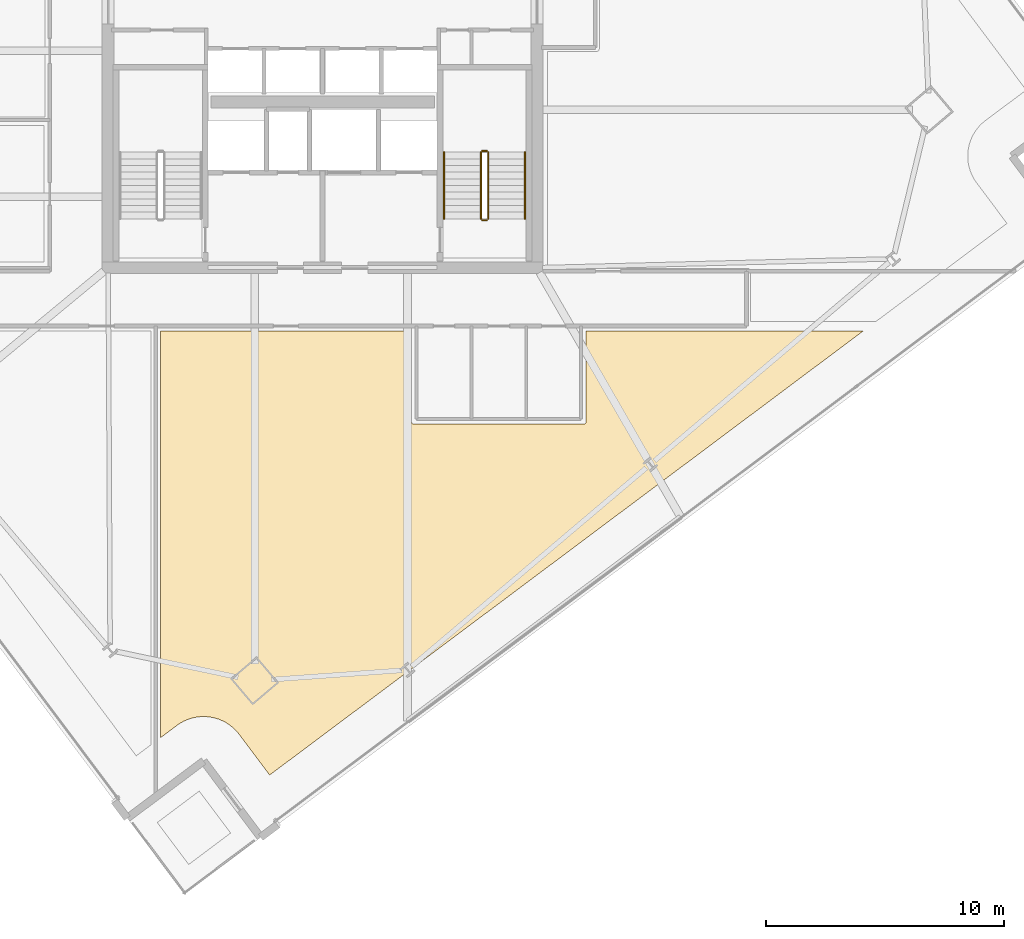
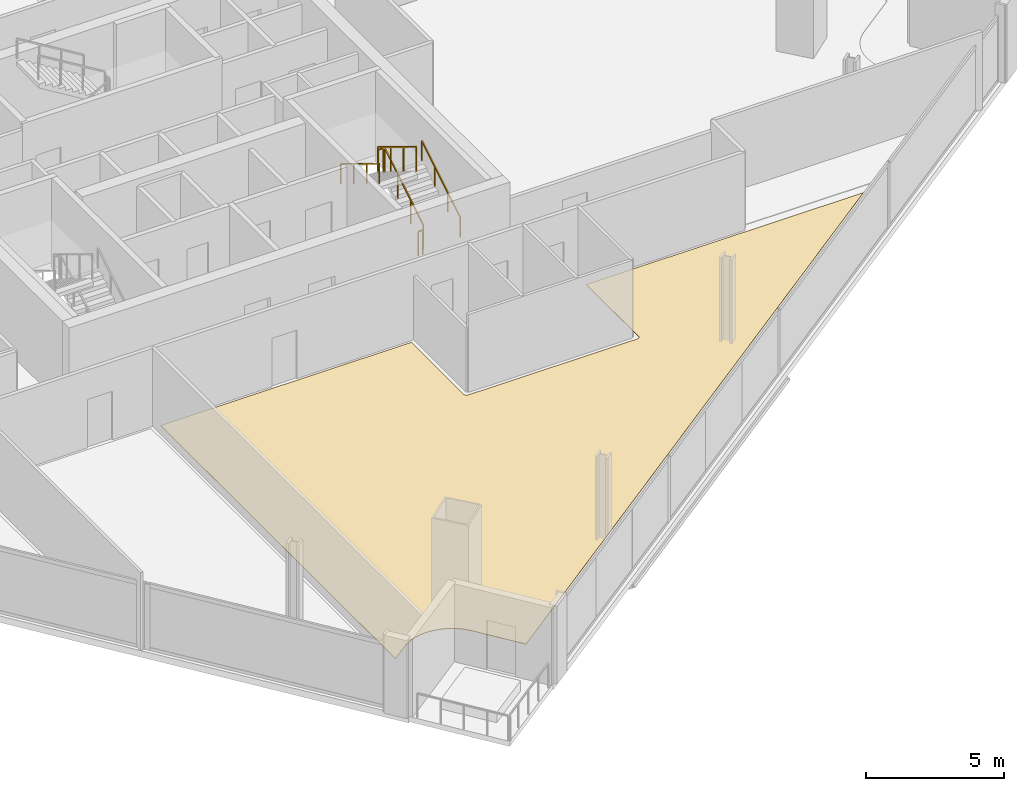
# One storey, part 29 of 32: 6 railings, 1 covering.
"""IFC4 building model written with IfcOpenShell, lengths in metres."""

from ifc_helpers import new_model, si_unit, direction, frame, origin, origin_2d, place, context, subcontext, project, spatial, polyline, rectangle, outline, extrude, material, layer, layer_set, type_object, element, save


model = new_model("IFC4")

# Units and contexts
model_context = context("Model", 3, precision=1e-05, world=origin(), true_north=direction((0.0, 1.0)))
body_context = subcontext(model_context, "Body", "Model", "MODEL_VIEW")
ifc_project = project(units=[si_unit("LENGTHUNIT", "METRE"), si_unit("AREAUNIT", "SQUARE_METRE"), si_unit("VOLUMEUNIT", "CUBIC_METRE"), si_unit("PLANEANGLEUNIT", "RADIAN"), si_unit("MASSUNIT", "GRAM", prefix="KILO")], contexts=[model_context])

# Site, building, storey
site_placement = place(None, origin())
site = spatial("IfcSite", under=ifc_project, at=site_placement, CompositionType="ELEMENT")
building_placement = place(site_placement, origin())
building = spatial("IfcBuilding", under=site, at=building_placement, Name="Haldenkirk Collegiate Tower", CompositionType="ELEMENT")
storey_placement = place(building_placement, frame((0.0, 0.0, 151.949951171875)))
storey = spatial("IfcBuildingStorey", under=building, at=storey_placement, Name="L37", CompositionType="ELEMENT", Elevation=151.949951171875)

# Covering
ifc_material_1 = material(Name="Polished collegiate terrazzo", Category="concrete")
ifc_layer = layer(ifc_material_1, 0.02490234375)
ifc_layer_set = layer_set([ifc_layer], Name="Polished collegiate terrazzo")
covering_type = type_object("IfcCoveringType", Name="COV-FLOOR-TERRAZZO", PredefinedType="FLOORING", material=ifc_layer_set)
covering_placement = place(storey_placement, origin())
element("IfcCovering", 1, at=covering_placement, inside=storey, type_object=covering_type, Name="L37 academic room finish 04", PredefinedType="FLOORING", context=body_context, shape_type="SweptSolid", body=[
    extrude(outline(polyline([(31.802978515625, -1.022705078125), (31.7919921875, -1.017578125), (31.633056640625, -0.95263671875), (31.6220703125, -0.94873046875), (31.45751953125, -0.899658203125), (31.446044921875, -0.896728515625), (31.277587890625, -0.864013671875), (31.265869140625, -0.8623046875), (31.0947265625, -0.84619140625), (31.0830078125, -0.845703125), (30.911376953125, -0.846435546875), (30.899658203125, -0.846923828125), (30.72900390625, -0.864501953125), (30.71728515625, -0.8662109375), (30.548828125, -0.900390625), (30.53759765625, -0.9033203125), (30.373291015625, -0.953857421875), (30.3623046875, -0.9580078125), (30.203857421875, -1.0244140625), (30.193115234375, -1.029296875), (30.0419921875, -1.111083984375), (30.031982421875, -1.1171875), (29.8896484375, -1.213134765625), (29.884765625, -1.216552734375), (29.199951171875, -1.72900390625), (29.199951171875, 15.35009765625), (39.72998046875, 15.35009765625), (39.72998046875, 11.550048828125), (39.730712890625, 11.5380859375), (39.732421875, 11.526611328125), (39.735107421875, 11.51513671875), (39.739013671875, 11.504150390625), (39.744140625, 11.493408203125), (39.750244140625, 11.4833984375), (39.757080078125, 11.473876953125), (39.76513671875, 11.465087890625), (39.77392578125, 11.457275390625), (39.783203125, 11.4501953125), (39.79345703125, 11.444091796875), (39.80419921875, 11.439208984375), (39.815185546875, 11.435302734375), (39.82666015625, 11.432373046875), (39.838134765625, 11.4306640625), (39.85009765625, 11.429931640625), (46.949951171875, 11.429931640625), (46.9619140625, 11.4306640625), (46.973388671875, 11.432373046875), (46.98486328125, 11.435302734375), (46.995849609375, 11.439208984375), (47.006591796875, 11.444091796875), (47.0166015625, 11.4501953125), (47.026123046875, 11.457275390625), (47.034912109375, 11.465087890625), (47.042724609375, 11.473876953125), (47.0498046875, 11.4833984375), (47.055908203125, 11.493408203125), (47.060791015625, 11.504150390625), (47.064697265625, 11.51513671875), (47.067626953125, 11.526611328125), (47.0693359375, 11.5380859375), (47.070068359375, 11.550048828125), (47.070068359375, 15.35009765625), (58.70751953125, 15.35009765625), (33.7783203125, -3.29931640625), (32.50244140625, -1.59375), (32.498779296875, -1.589111328125), (32.38916015625, -1.456787109375), (32.38134765625, -1.447998046875), (32.259521484375, -1.3271484375), (32.25048828125, -1.3193359375), (32.117431640625, -1.2109375), (32.10791015625, -1.203857421875), (31.964599609375, -1.109130859375), (31.95458984375, -1.103271484375), (31.802978515625, -1.022705078125)])), origin(), (0.0, 0.0, 1.0), 0.025146484375),
])

# Railings
ifc_material_2 = material(Name="Painted architectural tubular steel", Category="steel")
railing_type_1 = type_object("IfcRailingType", Name="RLG-STAIR-GUARD-1100", PredefinedType="BALUSTRADE", material=ifc_material_2)
railing_1_placement = place(storey_placement, frame((42.949951171875, 20.050048828125, 0.17041015625)))
element("IfcRailing", 2, at=railing_1_placement, inside=storey, type_object=railing_type_1, Name="L37 ST-2 stair guard 1", PredefinedType="BALUSTRADE", context=body_context, shape_type="SweptSolid", body=[
    extrude(rectangle(XDim=0.048095703125, YDim=0.048095703125, at=origin_2d()), frame((0.0, 0.0, 1.076171875), z_axis=(0.0, 0.854169791009, 0.51999420009), x_axis=(-1.0, 0.0, 0.0)), (0.0, 0.0, 1.0), 3.278076171875),
    extrude(rectangle(XDim=0.0419921875, YDim=0.0419921875, at=origin_2d()), origin(), (0.0, 0.0, 1.0), 1.052001953125),
    extrude(rectangle(XDim=0.0419921875, YDim=0.0419921875, at=origin_2d()), frame((0.0, 0.933349609375, 0.568115234375)), (0.0, 0.0, 1.0), 1.052001953125),
    extrude(rectangle(XDim=0.0419921875, YDim=0.0419921875, at=origin_2d()), frame((0.0, 1.86669921875, 1.136474609375)), (0.0, 0.0, 1.0), 1.052001953125),
    extrude(rectangle(XDim=0.0419921875, YDim=0.0419921875, at=origin_2d()), frame((0.0, 2.800048828125, 1.70458984375)), (0.0, 0.0, 1.0), 1.052001953125),
])
railing_2_placement = place(storey_placement, frame((42.89990234375, 22.89990234375, 1.875)))
element("IfcRailing", 3, at=railing_2_placement, inside=storey, type_object=railing_type_1, Name="L37 ST-2 stair guard 2", PredefinedType="BALUSTRADE", context=body_context, shape_type="SweptSolid", body=[
    extrude(rectangle(XDim=0.048095703125, YDim=0.048095703125, at=origin_2d()), frame((0.0, 0.0, 1.076171875), z_axis=(-1.0, 0.0, 0.0), x_axis=(0.0, -1.0, 0.0)), (0.0, 0.0, 1.0), 0.199951171875),
    extrude(rectangle(XDim=0.0419921875, YDim=0.0419921875, at=origin_2d()), origin(), (0.0, 0.0, 1.0), 1.052001953125),
    extrude(rectangle(XDim=0.0419921875, YDim=0.0419921875, at=origin_2d()), frame((-0.199951171875, 0.0, 0.0)), (0.0, 0.0, 1.0), 1.052001953125),
])
railing_3_placement = place(storey_placement, frame((42.64990234375, 22.85009765625, 2.04541015625)))
element("IfcRailing", 4, at=railing_3_placement, inside=storey, type_object=railing_type_1, Name="L37 ST-2 stair guard 3", PredefinedType="BALUSTRADE", context=body_context, shape_type="SweptSolid", body=[
    extrude(rectangle(XDim=0.048095703125, YDim=0.048095703125, at=origin_2d()), frame((0.0, 0.0, 1.076171875), z_axis=(0.0, -0.854169791009, 0.51999420009), x_axis=(1.0, 0.0, 0.0)), (0.0, 0.0, 1.0), 3.278076171875),
    extrude(rectangle(XDim=0.0419921875, YDim=0.0419921875, at=origin_2d()), origin(), (0.0, 0.0, 1.0), 1.052001953125),
    extrude(rectangle(XDim=0.0419921875, YDim=0.0419921875, at=origin_2d()), frame((0.0, -0.933349609375, 0.568115234375)), (0.0, 0.0, 1.0), 1.052001953125),
    extrude(rectangle(XDim=0.0419921875, YDim=0.0419921875, at=origin_2d()), frame((0.0, -1.86669921875, 1.136474609375)), (0.0, 0.0, 1.0), 1.052001953125),
    extrude(rectangle(XDim=0.0419921875, YDim=0.0419921875, at=origin_2d()), frame((0.0, -2.800048828125, 1.70458984375)), (0.0, 0.0, 1.0), 1.052001953125),
])
railing_4_placement = place(storey_placement, frame((42.89990234375, 20.0, 0.0)))
element("IfcRailing", 5, at=railing_4_placement, inside=storey, type_object=railing_type_1, Name="L37 ST-2 stair guard 4", PredefinedType="BALUSTRADE", context=body_context, shape_type="SweptSolid", body=[
    extrude(rectangle(XDim=0.048095703125, YDim=0.048095703125, at=origin_2d()), frame((0.0, 0.0, 1.076171875), z_axis=(-1.0, 0.0, 0.0), x_axis=(0.0, -1.0, 0.0)), (0.0, 0.0, 1.0), 0.199951171875),
    extrude(rectangle(XDim=0.0419921875, YDim=0.0419921875, at=origin_2d()), origin(), (0.0, 0.0, 1.0), 1.052001953125),
    extrude(rectangle(XDim=0.0419921875, YDim=0.0419921875, at=origin_2d()), frame((-0.199951171875, 0.0, 0.0)), (0.0, 0.0, 1.0), 1.052001953125),
])
railing_type_2 = type_object("IfcRailingType", Name="RLG-STAIR-HANDRAIL-900", PredefinedType="HANDRAIL", material=ifc_material_2)
railing_5_placement = place(storey_placement, frame((44.5, 20.050048828125, 0.17041015625)))
element("IfcRailing", 6, at=railing_5_placement, inside=storey, type_object=railing_type_2, Name="L37 ST-2 stair handrail 1", PredefinedType="HANDRAIL", context=body_context, shape_type="SweptSolid", body=[
    extrude(rectangle(XDim=0.048095703125, YDim=0.048095703125, at=origin_2d()), frame((0.0, 0.0, 0.8759765625), z_axis=(0.0, 0.854169791009, 0.51999420009), x_axis=(-1.0, 0.0, 0.0)), (0.0, 0.0, 1.0), 3.278076171875),
    extrude(rectangle(XDim=0.0419921875, YDim=0.0419921875, at=origin_2d()), origin(), (0.0, 0.0, 1.0), 0.851806640625),
    extrude(rectangle(XDim=0.0419921875, YDim=0.0419921875, at=origin_2d()), frame((0.0, 0.933349609375, 0.568115234375)), (0.0, 0.0, 1.0), 0.851806640625),
    extrude(rectangle(XDim=0.0419921875, YDim=0.0419921875, at=origin_2d()), frame((0.0, 1.86669921875, 1.136474609375)), (0.0, 0.0, 1.0), 0.851806640625),
    extrude(rectangle(XDim=0.0419921875, YDim=0.0419921875, at=origin_2d()), frame((0.0, 2.800048828125, 1.70458984375)), (0.0, 0.0, 1.0), 0.851806640625),
])
railing_6_placement = place(storey_placement, frame((41.10009765625, 22.85009765625, 2.04541015625)))
element("IfcRailing", 7, at=railing_6_placement, inside=storey, type_object=railing_type_2, Name="L37 ST-2 stair handrail 2", PredefinedType="HANDRAIL", context=body_context, shape_type="SweptSolid", body=[
    extrude(rectangle(XDim=0.048095703125, YDim=0.048095703125, at=origin_2d()), frame((0.0, 0.0, 0.8759765625), z_axis=(0.0, -0.854169791009, 0.51999420009), x_axis=(1.0, 0.0, 0.0)), (0.0, 0.0, 1.0), 3.278076171875),
    extrude(rectangle(XDim=0.0419921875, YDim=0.0419921875, at=origin_2d()), origin(), (0.0, 0.0, 1.0), 0.851806640625),
    extrude(rectangle(XDim=0.0419921875, YDim=0.0419921875, at=origin_2d()), frame((0.0, -0.933349609375, 0.568115234375)), (0.0, 0.0, 1.0), 0.851806640625),
    extrude(rectangle(XDim=0.0419921875, YDim=0.0419921875, at=origin_2d()), frame((0.0, -1.86669921875, 1.136474609375)), (0.0, 0.0, 1.0), 0.851806640625),
    extrude(rectangle(XDim=0.0419921875, YDim=0.0419921875, at=origin_2d()), frame((0.0, -2.800048828125, 1.70458984375)), (0.0, 0.0, 1.0), 0.851806640625),
])

save(model, "model.ifc")
